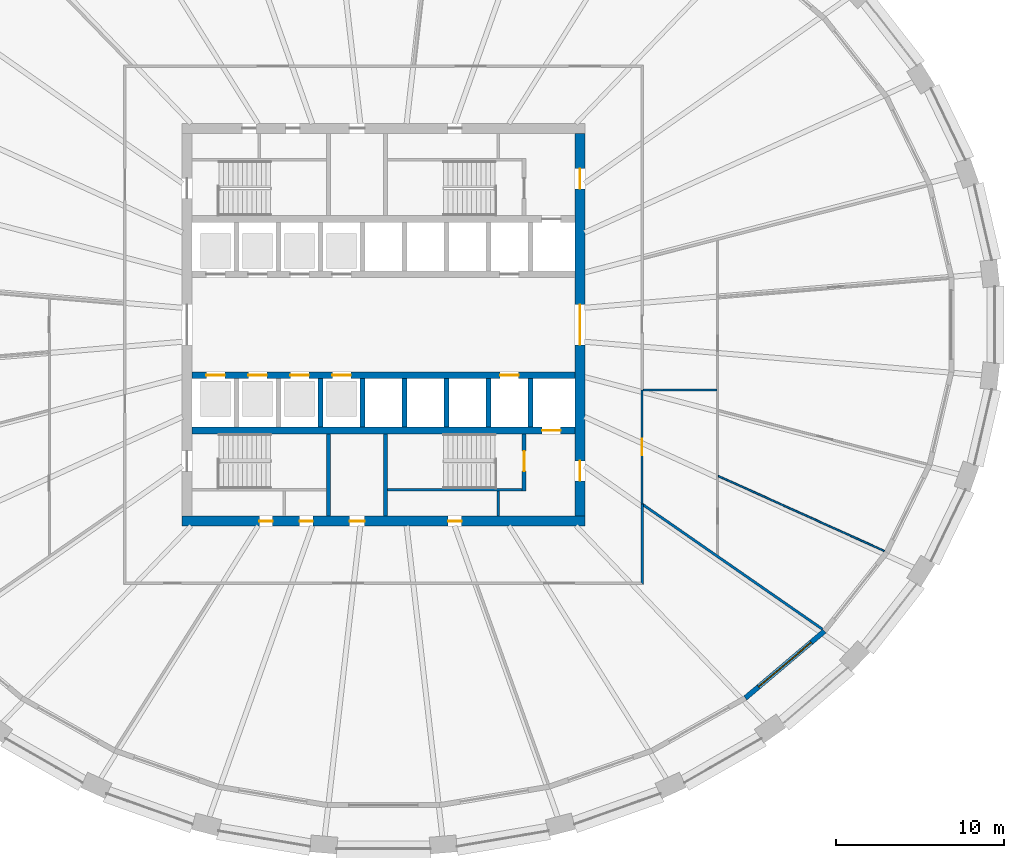
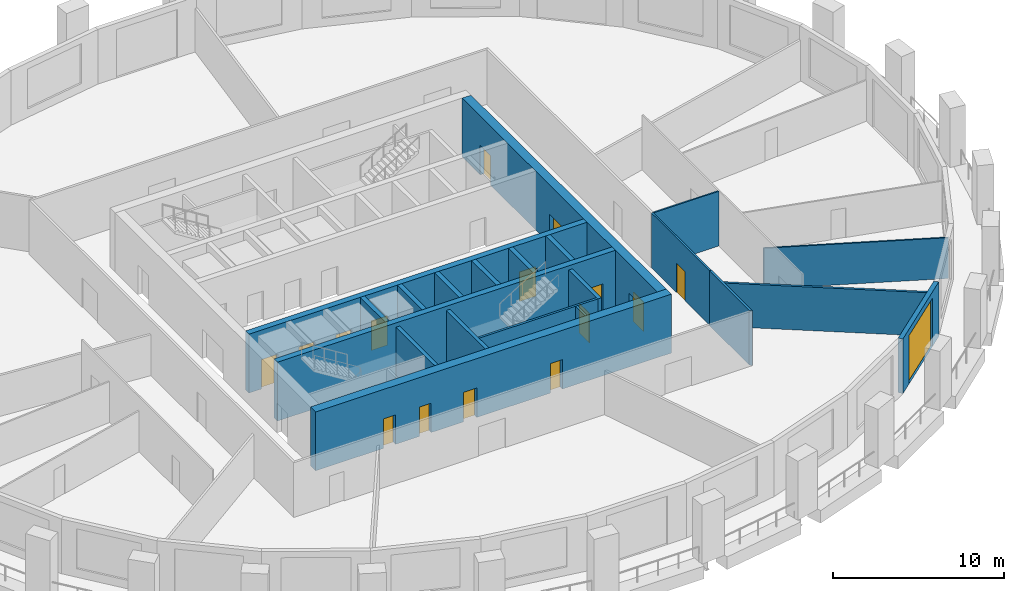
# One storey, part 4 of 11: 21 walls, 16 doors, 16 openings.
"""IFC4 building model written with IfcOpenShell, lengths in metres."""

from ifc_helpers import new_model, si_unit, direction, frame, frame_2d, origin, place, context, subcontext, project, spatial, polyline, rectangle, outline, extrude, material, layer, layer_set, type_object, element, fill, save


model = new_model("IFC4")

# Units and contexts
model_context = context("Model", 3, precision=1e-05, world=origin(), true_north=direction((0.0, 1.0)))
body_context = subcontext(model_context, "Body", "Model", "MODEL_VIEW")
ifc_project = project(units=[si_unit("LENGTHUNIT", "METRE"), si_unit("AREAUNIT", "SQUARE_METRE"), si_unit("VOLUMEUNIT", "CUBIC_METRE"), si_unit("PLANEANGLEUNIT", "RADIAN"), si_unit("MASSUNIT", "GRAM", prefix="KILO")], contexts=[model_context])

# Site, building, storey
site_placement = place(None, origin())
site = spatial("IfcSite", under=ifc_project, at=site_placement, CompositionType="ELEMENT")
building_placement = place(site_placement, origin())
building = spatial("IfcBuilding", under=site, at=building_placement, Name="Halqa Exchange Tower", CompositionType="ELEMENT")
storey_placement = place(building_placement, frame((0.0, 0.0, 82.300048828125)))
storey = spatial("IfcBuildingStorey", under=building, at=storey_placement, Name="L18", CompositionType="ELEMENT", Elevation=82.300048828125)

# Walls
ifc_material_1 = material(Name="Fire-rated gypsum board")
ifc_layer_1 = layer(ifc_material_1, 0.14990234375)
ifc_layer_set_1 = layer_set([ifc_layer_1], Name="Fire-rated gypsum board")
wall_type_1 = type_object("IfcWallType", Name="Fire partition EI 60 150", PredefinedType="PARTITIONING", material=ifc_layer_set_1)
wall_1_placement = place(storey_placement, frame((15.39990234375, -10.679931640625, 0.0), z_axis=(0.0, 0.0, 1.0), x_axis=(0.0, -1.0, 0.0)))
element("IfcWall", 1, at=wall_1_placement, inside=storey, type_object=wall_type_1, Name="L18-PWL-013", PredefinedType="PARTITIONING", context=body_context, shape_type="SweptSolid", body=[
    extrude(outline(polyline([(0.0, -0.074951171875), (1.54833984375, -0.074951171875), (3.0966796875, -0.074951171875), (4.64501953125, -0.074951171875), (4.794921875, 0.074951171875), (3.196533203125, 0.074951171875), (1.598388671875, 0.074951171875), (0.0, 0.074951171875), (0.0, -0.074951171875)])), origin(), (0.0, 0.0, 1.0), 3.89990234375),
])
wall_2_placement = place(storey_placement, frame((15.417724609375, -10.6923828125, 0.0), z_axis=(0.0, 0.0, 1.0), x_axis=(0.821683258501, -0.569944403166, 0.0)))
element("IfcWall", 2, at=wall_2_placement, inside=storey, type_object=wall_type_1, Name="L18-PWL-014", PredefinedType="PARTITIONING", context=body_context, shape_type="SweptSolid", body=[
    extrude(outline(polyline([(13.046875, 0.074951171875), (11.12158203125, 0.074951171875), (9.1962890625, 0.074951171875), (7.27099609375, 0.074951171875), (5.345703125, 0.074951171875), (5.34326171875, 0.0732421875), (5.342041015625, 0.074951171875), (3.5615234375, 0.074951171875), (1.78076171875, 0.074951171875), (0.0, 0.074951171875), (0.0, 0.07421875), (0.027587890625, 0.0341796875), (0.0400390625, 0.042724609375), (0.12158203125, -0.074951171875), (1.96826171875, -0.074951171875), (3.814697265625, -0.074951171875), (5.6611328125, -0.074951171875), (7.507568359375, -0.074951171875), (9.35400390625, -0.074951171875), (11.200439453125, -0.074951171875), (13.046875, -0.074951171875), (13.046875, 0.074951171875)])), origin(), (0.0, 0.0, 1.0), 3.099853515625),
])

# Wall, opening, door
ifc_material_2 = material(Name="Fire-rated glazing", Category="glass")
ifc_layer_2 = layer(ifc_material_2, 0.1201171875)
ifc_layer_set_2 = layer_set([ifc_layer_2], Name="Fire-rated glazing")
wall_type_2 = type_object("IfcWallType", Name="Glazed fire partition EI 60 120", PredefinedType="PARTITIONING", material=ifc_layer_set_2)
wall_3_placement = place(storey_placement, frame((15.39990234375, -3.889892578125, 0.0), z_axis=(0.0, 0.0, 1.0), x_axis=(0.0, -1.0, 0.0)))
wall_3 = element("IfcWall", 3, at=wall_3_placement, inside=storey, type_object=wall_type_2, Name="L18-PWL-015", PredefinedType="PARTITIONING", context=body_context, shape_type="SweptSolid", body=[
    extrude(rectangle(XDim=6.7900390625, YDim=0.1201171875, at=frame_2d((3.39501953125, 0.0))), origin(), (0.0, 0.0, 1.0), 3.89990234375),
])
opening_1_placement = place(wall_3_placement, frame((2.89501953125, 0.0, 0.0)))
opening_1 = element("IfcOpeningElement", 4, at=opening_1_placement, cuts=wall_3, Name="Opening 05-05", PredefinedType="OPENING", context=body_context, shape_type="SweptSolid", body=[
    extrude(rectangle(XDim=1.0, YDim=2.10009765625, at=frame_2d((0.5, 1.050048828125))), frame((0.0, 0.072021484375, 0.0), z_axis=(0.0, -1.0, 0.0), x_axis=(1.0, 0.0, 0.0)), (0.0, 0.0, 1.0), 0.14404296875),
])
ifc_material_3 = material(Name="Steel fire door leaf", Category="steel")
door_type_1 = type_object("IfcDoorType", Name="Fire door FD30S 1000 x 2100", OperationType="SINGLE_SWING_LEFT", PredefinedType="DOOR", material=ifc_material_3)
door_1_placement = place(opening_1_placement, origin())
door_1 = element("IfcDoor", 5, at=door_1_placement, inside=storey, type_object=door_type_1, Name="L18-IDR-005", OperationType="SINGLE_SWING_LEFT", OverallHeight=2.10009765625, OverallWidth=1.0, PredefinedType="DOOR", context=body_context, shape_type="SweptSolid", body=[
    extrude(rectangle(XDim=1.0, YDim=2.10009765625, at=frame_2d((0.5, 1.050048828125))), frame((0.0, 0.02490234375, 0.0), z_axis=(0.0, -1.0, 0.0), x_axis=(1.0, 0.0, 0.0)), (0.0, 0.0, 1.0), 0.050048828125),
])
fill(opening_1, door_1)

# Walls
ifc_material_4 = material(Name="Gypsum board")
ifc_layer_3 = layer(ifc_material_4, 0.10009765625)
ifc_layer_set_3 = layer_set([ifc_layer_3], Name="Gypsum board")
wall_type_3 = type_object("IfcWallType", Name="Partition 100 gypsum", PredefinedType="PARTITIONING", material=ifc_layer_set_3)
wall_4_placement = place(storey_placement, frame((15.46044921875, -3.889892578125, 0.0), z_axis=(0.0, 0.0, 1.0), x_axis=(1.0, 0.0, 0.0)))
element("IfcWall", 6, at=wall_4_placement, inside=storey, type_object=wall_type_3, Name="L18-PWL-017", PredefinedType="PARTITIONING", context=body_context, shape_type="SweptSolid", body=[
    extrude(outline(polyline([(0.0, -0.050048828125), (1.463134765625, -0.050048828125), (2.92626953125, -0.050048828125), (4.3896484375, -0.050048828125), (4.3896484375, 0.050048828125), (2.93115234375, 0.050048828125), (1.472900390625, 0.050048828125), (0.0146484375, 0.050048828125), (0.0146484375, 0.0), (0.0, 0.0), (0.0, -0.050048828125)])), origin(), (0.0, 0.0, 1.0), 3.89990234375),
])
wall_5_placement = place(storey_placement, frame((19.9296875, -9.00341796875, 0.0), z_axis=(0.0, 0.0, 1.0), x_axis=(0.911407001064, -0.41150610981, 0.0)))
element("IfcWall", 7, at=wall_5_placement, inside=storey, type_object=wall_type_3, Name="L18-PWL-020", PredefinedType="PARTITIONING", context=body_context, shape_type="SweptSolid", body=[
    extrude(outline(polyline([(0.044921875, -0.050048828125), (1.847412109375, -0.050048828125), (3.650146484375, -0.050048828125), (5.45263671875, -0.050048828125), (7.25537109375, -0.050048828125), (9.057861328125, -0.050048828125), (10.860595703125, -0.050048828125), (10.8720703125, -0.004150390625), (10.873779296875, 0.050048828125), (9.0615234375, 0.050048828125), (7.249267578125, 0.050048828125), (5.436767578125, 0.050048828125), (3.62451171875, 0.050048828125), (1.812255859375, 0.050048828125), (0.0, 0.050048828125), (0.0, 0.04931640625), (0.044921875, -0.050048828125)])), origin(), (0.0, 0.0, 1.0), 2.909912109375),
])
ifc_layer_4 = layer(ifc_material_4, 0.14990234375)
ifc_layer_set_4 = layer_set([ifc_layer_4], Name="Gypsum board")
wall_type_4 = type_object("IfcWallType", Name="Penthouse riser wall 150 gypsum", PredefinedType="PARTITIONING", material=ifc_layer_set_4)
wall_6_placement = place(storey_placement, frame((6.824951171875, -11.39990234375, 0.0), z_axis=(0.0, 0.0, 1.0), x_axis=(0.0, 1.0, 0.0)))
element("IfcWall", 8, at=wall_6_placement, inside=storey, type_object=wall_type_4, Name="Firefighting lobby west wall S", PredefinedType="PARTITIONING", context=body_context, shape_type="SweptSolid", body=[
    extrude(rectangle(XDim=1.5, YDim=0.14990234375, at=frame_2d((0.75, 0.0))), origin(), (0.0, 0.0, 1.0), 3.89990234375),
])
ifc_material_5 = material(Name="Concrete C60/75", Category="concrete")
ifc_layer_5 = layer(ifc_material_5, 0.300048828125)
ifc_layer_set_5 = layer_set([ifc_layer_5], Name="Concrete C60/75")
wall_type_5 = type_object("IfcWallType", Name="RC core wall 300", PredefinedType="SHEAR", material=ifc_layer_set_5)
for number, where, z_axis, x_axis, name in (
    (9, (-3.75, -6.10009765625, 0.0), (0.0, 0.0, 1.0), (0.0, 1.0, 0.0), "Shaft divider S3"),
    (10, (-1.25, -6.10009765625, 0.0), (0.0, 0.0, 1.0), (0.0, 1.0, 0.0), "Shaft divider S4"),
    (11, (1.25, -6.10009765625, 0.0), (0.0, 0.0, 1.0), (0.0, 1.0, 0.0), "Shaft divider S5"),
    (12, (3.75, -6.10009765625, 0.0), (0.0, 0.0, 1.0), (0.0, 1.0, 0.0), "Shaft divider S6"),
    (13, (6.25, -6.10009765625, 0.0), (0.0, 0.0, 1.0), (0.0, 1.0, 0.0), "Shaft divider S7"),
    (14, (8.75, -6.10009765625, 0.0), (0.0, 0.0, 1.0), (0.0, 1.0, 0.0), "Shaft divider S8"),
):
    element("IfcWall", number, at=place(storey_placement, frame(where, z_axis=z_axis, x_axis=x_axis)), inside=storey, type_object=wall_type_5, Name=name, PredefinedType="SHEAR", context=body_context, shape_type="SweptSolid", body=[
        extrude(rectangle(XDim=2.900146484375, YDim=0.300048828125, at=frame_2d((1.4501953125, 0.0))), origin(), (0.0, 0.0, 1.0), 4.199951171875),
    ])

# Wall, openings, doors
ifc_material_6 = material(Name="Concrete C80/95", Category="concrete")
ifc_layer_6 = layer(ifc_material_6, 0.39990234375)
ifc_layer_set_6 = layer_set([ifc_layer_6], Name="Concrete C80/95")
wall_type_6 = type_object("IfcWallType", Name="RC core wall 400 C80/95", PredefinedType="SHEAR", material=ifc_layer_set_6)
wall_7_placement = place(storey_placement, frame((-11.39990234375, -3.0, 0.0), z_axis=(0.0, 0.0, 1.0), x_axis=(1.0, 0.0, 0.0)))
wall_7 = element("IfcWall", 15, at=wall_7_placement, inside=storey, type_object=wall_type_6, Name="Lift row front wall S", PredefinedType="SHEAR", context=body_context, shape_type="SweptSolid", body=[
    extrude(rectangle(XDim=22.7998046875, YDim=0.39990234375, at=frame_2d((11.39990234375, 0.0))), origin(), (0.0, 0.0, 1.0), 4.199951171875),
])
opening_2_placement = place(wall_7_placement, frame((0.85009765625, 0.0, 0.0)))
opening_2 = element("IfcOpeningElement", 16, at=opening_2_placement, cuts=wall_7, Name="Opening LD-LR5-T05", PredefinedType="OPENING", context=body_context, shape_type="SweptSolid", body=[
    extrude(rectangle(XDim=1.10009765625, YDim=2.10009765625, at=frame_2d((0.550048828125, 1.050048828125))), frame((0.0, 0.2119140625, 0.0), z_axis=(0.0, -1.0, 0.0), x_axis=(1.0, 0.0, 0.0)), (0.0, 0.0, 1.0), 0.423828125),
])
opening_3_placement = place(wall_7_placement, frame((3.35009765625, 0.0, 0.0)))
opening_3 = element("IfcOpeningElement", 17, at=opening_3_placement, cuts=wall_7, Name="Opening LD-LR6-T05", PredefinedType="OPENING", context=body_context, shape_type="SweptSolid", body=[
    extrude(rectangle(XDim=1.10009765625, YDim=2.10009765625, at=frame_2d((0.550048828125, 1.050048828125))), frame((0.0, 0.2119140625, 0.0), z_axis=(0.0, -1.0, 0.0), x_axis=(1.0, 0.0, 0.0)), (0.0, 0.0, 1.0), 0.423828125),
])
opening_4_placement = place(wall_7_placement, frame((5.85009765625, 0.0, 0.0)))
opening_4 = element("IfcOpeningElement", 18, at=opening_4_placement, cuts=wall_7, Name="Opening LD-LR7-T05", PredefinedType="OPENING", context=body_context, shape_type="SweptSolid", body=[
    extrude(rectangle(XDim=1.10009765625, YDim=2.10009765625, at=frame_2d((0.550048828125, 1.050048828125))), frame((0.0, 0.2119140625, 0.0), z_axis=(0.0, -1.0, 0.0), x_axis=(1.0, 0.0, 0.0)), (0.0, 0.0, 1.0), 0.423828125),
])
opening_5_placement = place(wall_7_placement, frame((8.35009765625, 0.0, 0.0)))
opening_5 = element("IfcOpeningElement", 19, at=opening_5_placement, cuts=wall_7, Name="Opening LD-LR8-T05", PredefinedType="OPENING", context=body_context, shape_type="SweptSolid", body=[
    extrude(rectangle(XDim=1.10009765625, YDim=2.10009765625, at=frame_2d((0.550048828125, 1.050048828125))), frame((0.0, 0.2119140625, 0.0), z_axis=(0.0, -1.0, 0.0), x_axis=(1.0, 0.0, 0.0)), (0.0, 0.0, 1.0), 0.423828125),
])
opening_6_placement = place(wall_7_placement, frame((18.35009765625, 0.0, 0.0)))
opening_6 = element("IfcOpeningElement", 20, at=opening_6_placement, cuts=wall_7, Name="Opening LD-SV2-T05", PredefinedType="OPENING", context=body_context, shape_type="SweptSolid", body=[
    extrude(rectangle(XDim=1.10009765625, YDim=2.10009765625, at=frame_2d((0.550048828125, 1.050048828125))), frame((0.0, 0.2119140625, 0.0), z_axis=(0.0, -1.0, 0.0), x_axis=(1.0, 0.0, 0.0)), (0.0, 0.0, 1.0), 0.423828125),
])
ifc_material_7 = material(Name="Stainless steel", Category="steel")
door_type_2 = type_object("IfcDoorType", Name="Lift landing door 1100 x 2100", OperationType="SLIDING_TO_LEFT", PredefinedType="DOOR", material=ifc_material_7)
door_2_placement = place(opening_2_placement, origin())
door_2 = element("IfcDoor", 21, at=door_2_placement, inside=storey, type_object=door_type_2, Name="Lift landing door LR5", OperationType="SLIDING_TO_LEFT", OverallHeight=2.10009765625, OverallWidth=1.10009765625, PredefinedType="DOOR", context=body_context, shape_type="SweptSolid", body=[
    extrude(rectangle(XDim=1.10009765625, YDim=2.10009765625, at=frame_2d((0.550048828125, 1.050048828125))), frame((0.0, 0.02490234375, 0.0), z_axis=(0.0, -1.0, 0.0), x_axis=(1.0, 0.0, 0.0)), (0.0, 0.0, 1.0), 0.050048828125),
])
fill(opening_2, door_2)
door_3_placement = place(opening_3_placement, origin())
door_3 = element("IfcDoor", 22, at=door_3_placement, inside=storey, type_object=door_type_2, Name="Lift landing door LR6", OperationType="SLIDING_TO_LEFT", OverallHeight=2.10009765625, OverallWidth=1.10009765625, PredefinedType="DOOR", context=body_context, shape_type="SweptSolid", body=[
    extrude(rectangle(XDim=1.10009765625, YDim=2.10009765625, at=frame_2d((0.550048828125, 1.050048828125))), frame((0.0, 0.02490234375, 0.0), z_axis=(0.0, -1.0, 0.0), x_axis=(1.0, 0.0, 0.0)), (0.0, 0.0, 1.0), 0.050048828125),
])
fill(opening_3, door_3)
door_4_placement = place(opening_4_placement, origin())
door_4 = element("IfcDoor", 23, at=door_4_placement, inside=storey, type_object=door_type_2, Name="Lift landing door LR7", OperationType="SLIDING_TO_LEFT", OverallHeight=2.10009765625, OverallWidth=1.10009765625, PredefinedType="DOOR", context=body_context, shape_type="SweptSolid", body=[
    extrude(rectangle(XDim=1.10009765625, YDim=2.10009765625, at=frame_2d((0.550048828125, 1.050048828125))), frame((0.0, 0.02490234375, 0.0), z_axis=(0.0, -1.0, 0.0), x_axis=(1.0, 0.0, 0.0)), (0.0, 0.0, 1.0), 0.050048828125),
])
fill(opening_4, door_4)
door_5_placement = place(opening_5_placement, origin())
door_5 = element("IfcDoor", 24, at=door_5_placement, inside=storey, type_object=door_type_2, Name="Lift landing door LR8", OperationType="SLIDING_TO_LEFT", OverallHeight=2.10009765625, OverallWidth=1.10009765625, PredefinedType="DOOR", context=body_context, shape_type="SweptSolid", body=[
    extrude(rectangle(XDim=1.10009765625, YDim=2.10009765625, at=frame_2d((0.550048828125, 1.050048828125))), frame((0.0, 0.02490234375, 0.0), z_axis=(0.0, -1.0, 0.0), x_axis=(1.0, 0.0, 0.0)), (0.0, 0.0, 1.0), 0.050048828125),
])
fill(opening_5, door_5)
door_6_placement = place(opening_6_placement, origin())
door_6 = element("IfcDoor", 25, at=door_6_placement, inside=storey, type_object=door_type_2, Name="Lift landing door SV2", OperationType="SLIDING_TO_LEFT", OverallHeight=2.10009765625, OverallWidth=1.10009765625, PredefinedType="DOOR", context=body_context, shape_type="SweptSolid", body=[
    extrude(rectangle(XDim=1.10009765625, YDim=2.10009765625, at=frame_2d((0.550048828125, 1.050048828125))), frame((0.0, 0.02490234375, 0.0), z_axis=(0.0, -1.0, 0.0), x_axis=(1.0, 0.0, 0.0)), (0.0, 0.0, 1.0), 0.050048828125),
])
fill(opening_6, door_6)

# Wall, opening, door
wall_8_placement = place(storey_placement, frame((-11.39990234375, -6.300048828125, 0.0), z_axis=(0.0, 0.0, 1.0), x_axis=(1.0, 0.0, 0.0)))
wall_8 = element("IfcWall", 26, at=wall_8_placement, inside=storey, type_object=wall_type_6, Name="Lift row back wall S", PredefinedType="SHEAR", context=body_context, shape_type="SweptSolid", body=[
    extrude(rectangle(XDim=22.7998046875, YDim=0.39990234375, at=frame_2d((11.39990234375, 0.0))), origin(), (0.0, 0.0, 1.0), 4.199951171875),
])
opening_7_placement = place(wall_8_placement, frame((20.85009765625, 0.0, 0.0)))
opening_7 = element("IfcOpeningElement", 27, at=opening_7_placement, cuts=wall_8, Name="Opening LD-FF2-T05", PredefinedType="OPENING", context=body_context, shape_type="SweptSolid", body=[
    extrude(rectangle(XDim=1.10009765625, YDim=2.10009765625, at=frame_2d((0.550048828125, 1.050048828125))), frame((0.0, 0.2119140625, 0.0), z_axis=(0.0, -1.0, 0.0), x_axis=(1.0, 0.0, 0.0)), (0.0, 0.0, 1.0), 0.423828125),
])
door_7_placement = place(opening_7_placement, origin())
door_7 = element("IfcDoor", 28, at=door_7_placement, inside=storey, type_object=door_type_2, Name="Lift landing door FF2", OperationType="SLIDING_TO_LEFT", OverallHeight=2.10009765625, OverallWidth=1.10009765625, PredefinedType="DOOR", context=body_context, shape_type="SweptSolid", body=[
    extrude(rectangle(XDim=1.10009765625, YDim=2.10009765625, at=frame_2d((0.550048828125, 1.050048828125))), frame((0.0, 0.02490234375, 0.0), z_axis=(0.0, -1.0, 0.0), x_axis=(1.0, 0.0, 0.0)), (0.0, 0.0, 1.0), 0.050048828125),
])
fill(opening_7, door_7)

# Wall, openings, doors
ifc_layer_7 = layer(ifc_material_6, 0.60009765625)
ifc_layer_set_7 = layer_set([ifc_layer_7], Name="Concrete C80/95")
wall_type_7 = type_object("IfcWallType", Name="RC core wall 600 C80/95", PredefinedType="SHEAR", material=ifc_layer_set_7)
wall_9_placement = place(storey_placement, frame((-12.0, -11.699951171875, 0.0), z_axis=(0.0, 0.0, 1.0), x_axis=(1.0, 0.0, 0.0)))
wall_9 = element("IfcWall", 29, at=wall_9_placement, inside=storey, type_object=wall_type_7, Name="Core wall south", PredefinedType="SHEAR", context=body_context, shape_type="SweptSolid", body=[
    extrude(rectangle(XDim=24.0, YDim=0.60009765625, at=frame_2d((12.0, 0.0))), origin(), (0.0, 0.0, 1.0), 4.199951171875),
])
opening_8_placement = place(wall_9_placement, frame((9.97509765625, 0.0, 0.0)))
opening_8 = element("IfcOpeningElement", 30, at=opening_8_placement, cuts=wall_9, Name="Opening T05-C25", PredefinedType="OPENING", context=body_context, shape_type="SweptSolid", body=[
    extrude(rectangle(XDim=0.89990234375, YDim=2.10009765625, at=frame_2d((0.449951171875, 1.050048828125))), frame((0.0, 0.31201171875, 0.0), z_axis=(0.0, -1.0, 0.0), x_axis=(1.0, 0.0, 0.0)), (0.0, 0.0, 1.0), 0.6240234375),
])
opening_9_placement = place(wall_9_placement, frame((4.60009765625, 0.0, 0.0)))
opening_9 = element("IfcOpeningElement", 31, at=opening_9_placement, cuts=wall_9, Name="Opening T05-C26", PredefinedType="OPENING", context=body_context, shape_type="SweptSolid", body=[
    extrude(rectangle(XDim=0.800048828125, YDim=2.10009765625, at=frame_2d((0.39990234375, 1.050048828125))), frame((0.0, 0.31201171875, 0.0), z_axis=(0.0, -1.0, 0.0), x_axis=(1.0, 0.0, 0.0)), (0.0, 0.0, 1.0), 0.6240234375),
])
opening_10_placement = place(wall_9_placement, frame((7.0, 0.0, 0.0)))
opening_10 = element("IfcOpeningElement", 32, at=opening_10_placement, cuts=wall_9, Name="Opening T05-C27", PredefinedType="OPENING", context=body_context, shape_type="SweptSolid", body=[
    extrude(rectangle(XDim=0.800048828125, YDim=2.10009765625, at=frame_2d((0.39990234375, 1.050048828125))), frame((0.0, 0.31201171875, 0.0), z_axis=(0.0, -1.0, 0.0), x_axis=(1.0, 0.0, 0.0)), (0.0, 0.0, 1.0), 0.6240234375),
])
opening_11_placement = place(wall_9_placement, frame((15.85009765625, 0.0, 0.0)))
opening_11 = element("IfcOpeningElement", 33, at=opening_11_placement, cuts=wall_9, Name="Opening T05-C28", PredefinedType="OPENING", context=body_context, shape_type="SweptSolid", body=[
    extrude(rectangle(XDim=0.800048828125, YDim=2.10009765625, at=frame_2d((0.39990234375, 1.050048828125))), frame((0.0, 0.31201171875, 0.0), z_axis=(0.0, -1.0, 0.0), x_axis=(1.0, 0.0, 0.0)), (0.0, 0.0, 1.0), 0.6240234375),
])
ifc_material_8 = material(Name="Timber fire door leaf", Category="wood")
door_type_3 = type_object("IfcDoorType", Name="Core room door FD30 900 x 2100", OperationType="SINGLE_SWING_LEFT", PredefinedType="DOOR", material=ifc_material_8)
door_8_placement = place(opening_8_placement, origin())
door_8 = element("IfcDoor", 34, at=door_8_placement, inside=storey, type_object=door_type_3, Name="Core room door", OperationType="SINGLE_SWING_LEFT", OverallHeight=2.10009765625, OverallWidth=0.89990234375, PredefinedType="DOOR", context=body_context, shape_type="SweptSolid", body=[
    extrude(rectangle(XDim=0.89990234375, YDim=2.10009765625, at=frame_2d((0.449951171875, 1.050048828125))), frame((0.0, 0.02490234375, 0.0), z_axis=(0.0, -1.0, 0.0), x_axis=(1.0, 0.0, 0.0)), (0.0, 0.0, 1.0), 0.050048828125),
])
fill(opening_8, door_8)
door_type_4 = type_object("IfcDoorType", Name="Riser door FD60 800 x 2100", OperationType="SINGLE_SWING_LEFT", PredefinedType="DOOR", material=ifc_material_3)
door_9_placement = place(opening_9_placement, origin())
door_9 = element("IfcDoor", 35, at=door_9_placement, inside=storey, type_object=door_type_4, Name="Core room door", OperationType="SINGLE_SWING_LEFT", OverallHeight=2.10009765625, OverallWidth=0.800048828125, PredefinedType="DOOR", context=body_context, shape_type="SweptSolid", body=[
    extrude(rectangle(XDim=0.800048828125, YDim=2.10009765625, at=frame_2d((0.39990234375, 1.050048828125))), frame((0.0, 0.02490234375, 0.0), z_axis=(0.0, -1.0, 0.0), x_axis=(1.0, 0.0, 0.0)), (0.0, 0.0, 1.0), 0.050048828125),
])
fill(opening_9, door_9)
door_10_placement = place(opening_10_placement, origin())
door_10 = element("IfcDoor", 36, at=door_10_placement, inside=storey, type_object=door_type_4, Name="Core room door", OperationType="SINGLE_SWING_LEFT", OverallHeight=2.10009765625, OverallWidth=0.800048828125, PredefinedType="DOOR", context=body_context, shape_type="SweptSolid", body=[
    extrude(rectangle(XDim=0.800048828125, YDim=2.10009765625, at=frame_2d((0.39990234375, 1.050048828125))), frame((0.0, 0.02490234375, 0.0), z_axis=(0.0, -1.0, 0.0), x_axis=(1.0, 0.0, 0.0)), (0.0, 0.0, 1.0), 0.050048828125),
])
fill(opening_10, door_10)
door_11_placement = place(opening_11_placement, origin())
door_11 = element("IfcDoor", 37, at=door_11_placement, inside=storey, type_object=door_type_4, Name="Core room door", OperationType="SINGLE_SWING_LEFT", OverallHeight=2.10009765625, OverallWidth=0.800048828125, PredefinedType="DOOR", context=body_context, shape_type="SweptSolid", body=[
    extrude(rectangle(XDim=0.800048828125, YDim=2.10009765625, at=frame_2d((0.39990234375, 1.050048828125))), frame((0.0, 0.02490234375, 0.0), z_axis=(0.0, -1.0, 0.0), x_axis=(1.0, 0.0, 0.0)), (0.0, 0.0, 1.0), 0.050048828125),
])
fill(opening_11, door_11)

wall_10_placement = place(storey_placement, frame((11.699951171875, -11.39990234375, 0.0), z_axis=(0.0, 0.0, 1.0), x_axis=(0.0, 1.0, 0.0)))
wall_10 = element("IfcWall", 38, at=wall_10_placement, inside=storey, type_object=wall_type_7, Name="Core wall east", PredefinedType="SHEAR", context=body_context, shape_type="SweptSolid", body=[
    extrude(rectangle(XDim=22.7998046875, YDim=0.60009765625, at=frame_2d((11.39990234375, 0.0))), origin(), (0.0, 0.0, 1.0), 4.199951171875),
])
opening_12_placement = place(wall_10_placement, frame((10.199951171875, 0.0, 0.0)))
opening_12 = element("IfcOpeningElement", 39, at=opening_12_placement, cuts=wall_10, Name="Opening T05-C14", PredefinedType="OPENING", context=body_context, shape_type="SweptSolid", body=[
    extrude(rectangle(XDim=2.39990234375, YDim=2.10009765625, at=frame_2d((1.199951171875, 1.050048828125))), frame((0.0, 0.31201171875, 0.0), z_axis=(0.0, -1.0, 0.0), x_axis=(1.0, 0.0, 0.0)), (0.0, 0.0, 1.0), 0.6240234375),
])
opening_13_placement = place(wall_10_placement, frame((19.5, 0.0, 0.0)))
opening_13 = element("IfcOpeningElement", 40, at=opening_13_placement, cuts=wall_10, Name="Opening T05-C19", PredefinedType="OPENING", context=body_context, shape_type="SweptSolid", body=[
    extrude(rectangle(XDim=1.199951171875, YDim=2.10009765625, at=frame_2d((0.60009765625, 1.050048828125))), frame((0.0, 0.31201171875, 0.0), z_axis=(0.0, -1.0, 0.0), x_axis=(1.0, 0.0, 0.0)), (0.0, 0.0, 1.0), 0.6240234375),
])
opening_14_placement = place(wall_10_placement, frame((2.10009765625, 0.0, 0.0)))
opening_14 = element("IfcOpeningElement", 41, at=opening_14_placement, cuts=wall_10, Name="Opening T05-C20", PredefinedType="OPENING", context=body_context, shape_type="SweptSolid", body=[
    extrude(rectangle(XDim=1.199951171875, YDim=2.10009765625, at=frame_2d((0.60009765625, 1.050048828125))), frame((0.0, 0.31201171875, 0.0), z_axis=(0.0, -1.0, 0.0), x_axis=(1.0, 0.0, 0.0)), (0.0, 0.0, 1.0), 0.6240234375),
])
door_type_5 = type_object("IfcDoorType", Name="Firefighting lobby door FD90 1200 x 2100", OperationType="SINGLE_SWING_RIGHT", PredefinedType="DOOR", material=ifc_material_3)
door_12_placement = place(opening_13_placement, origin())
door_12 = element("IfcDoor", 42, at=door_12_placement, inside=storey, type_object=door_type_5, Name="Firefighting lobby door", OperationType="SINGLE_SWING_RIGHT", OverallHeight=2.10009765625, OverallWidth=1.199951171875, PredefinedType="DOOR", context=body_context, shape_type="SweptSolid", body=[
    extrude(rectangle(XDim=1.199951171875, YDim=2.10009765625, at=frame_2d((0.60009765625, 1.050048828125))), frame((0.0, 0.02490234375, 0.0), z_axis=(0.0, -1.0, 0.0), x_axis=(1.0, 0.0, 0.0)), (0.0, 0.0, 1.0), 0.050048828125),
])
fill(opening_13, door_12)
door_13_placement = place(opening_14_placement, origin())
door_13 = element("IfcDoor", 43, at=door_13_placement, inside=storey, type_object=door_type_5, Name="Firefighting lobby door", OperationType="SINGLE_SWING_LEFT", OverallHeight=2.10009765625, OverallWidth=1.199951171875, PredefinedType="DOOR", context=body_context, shape_type="SweptSolid", body=[
    extrude(rectangle(XDim=1.199951171875, YDim=2.10009765625, at=frame_2d((0.60009765625, 1.050048828125))), frame((0.0, 0.02490234375, 0.0), z_axis=(0.0, -1.0, 0.0), x_axis=(1.0, 0.0, 0.0)), (0.0, 0.0, 1.0), 0.050048828125),
])
fill(opening_14, door_13)
door_type_6 = type_object("IfcDoorType", Name="Lobby double door FD60 2400 x 2100", OperationType="DOUBLE_DOOR_SINGLE_SWING", PredefinedType="DOOR", material=ifc_material_3)
door_14_placement = place(opening_12_placement, origin())
door_14 = element("IfcDoor", 44, at=door_14_placement, inside=storey, type_object=door_type_6, Name="Lift lobby double door", OperationType="DOUBLE_DOOR_SINGLE_SWING", OverallHeight=2.10009765625, OverallWidth=2.39990234375, PredefinedType="DOOR", context=body_context, shape_type="SweptSolid", body=[
    extrude(rectangle(XDim=2.39990234375, YDim=2.10009765625, at=frame_2d((1.199951171875, 1.050048828125))), frame((0.0, 0.02490234375, 0.0), z_axis=(0.0, -1.0, 0.0), x_axis=(1.0, 0.0, 0.0)), (0.0, 0.0, 1.0), 0.050048828125),
])
fill(opening_12, door_14)

# Walls
ifc_material_9 = material(Name="Concrete C30/37", Category="concrete")
ifc_layer_8 = layer(ifc_material_9, 0.14990234375)
ifc_layer_set_8 = layer_set([ifc_layer_8], Name="Concrete C30/37")
wall_type_8 = type_object("IfcWallType", Name="RC stair wall 150 C30/37", PredefinedType="SHEAR", material=ifc_layer_set_8)
wall_11_placement = place(storey_placement, frame((0.25, -9.824951171875, 0.0), z_axis=(0.0, 0.0, 1.0), x_axis=(1.0, 0.0, 0.0)))
element("IfcWall", 45, at=wall_11_placement, inside=storey, type_object=wall_type_8, Name="Stair ST2 north wall S", PredefinedType="SHEAR", context=body_context, shape_type="SweptSolid", body=[
    extrude(rectangle(XDim=8.0, YDim=0.14990234375, at=frame_2d((4.0, 0.0))), origin(), (0.0, 0.0, 1.0), 3.89990234375),
])
ifc_layer_9 = layer(ifc_material_9, 0.25)
ifc_layer_set_9 = layer_set([ifc_layer_9], Name="Concrete C30/37")
wall_type_9 = type_object("IfcWallType", Name="RC stair wall 250 C30/37", PredefinedType="SHEAR", material=ifc_layer_set_9)
for number, where, z_axis, x_axis, name in (
    (46, (-3.27490234375, -11.39990234375, 0.0), (0.0, 0.0, 1.0), (0.0, 1.0, 0.0), "Stair ST1 east wall S"),
    (47, (0.125, -11.39990234375, 0.0), (0.0, 0.0, 1.0), (0.0, 1.0, 0.0), "Stair ST2 west wall S"),
):
    element("IfcWall", number, at=place(storey_placement, frame(where, z_axis=z_axis, x_axis=x_axis)), inside=storey, type_object=wall_type_9, Name=name, PredefinedType="SHEAR", context=body_context, shape_type="SweptSolid", body=[
        extrude(rectangle(XDim=4.89990234375, YDim=0.25, at=frame_2d((2.449951171875, 0.0))), origin(), (0.0, 0.0, 1.0), 3.89990234375),
    ])

# Wall, opening, door
wall_12_placement = place(storey_placement, frame((8.375, -9.89990234375, 0.0), z_axis=(0.0, 0.0, 1.0), x_axis=(0.0, 1.0, 0.0)))
wall_12 = element("IfcWall", 48, at=wall_12_placement, inside=storey, type_object=wall_type_9, Name="Stair ST2 east wall S", PredefinedType="SHEAR", context=body_context, shape_type="SweptSolid", body=[
    extrude(rectangle(XDim=3.39990234375, YDim=0.25, at=frame_2d((1.699951171875, 0.0))), origin(), (0.0, 0.0, 1.0), 3.89990234375),
])
opening_15_placement = place(wall_12_placement, frame((1.175048828125, 0.0, 0.0)))
opening_15 = element("IfcOpeningElement", 49, at=opening_15_placement, cuts=wall_12, Name="Opening T05-C18", PredefinedType="OPENING", context=body_context, shape_type="SweptSolid", body=[
    extrude(rectangle(XDim=1.199951171875, YDim=2.10009765625, at=frame_2d((0.60009765625, 1.050048828125))), frame((0.0, 0.136962890625, 0.0), z_axis=(0.0, -1.0, 0.0), x_axis=(1.0, 0.0, 0.0)), (0.0, 0.0, 1.0), 0.27392578125),
])
door_type_7 = type_object("IfcDoorType", Name="Stair door FD90 1200 x 2100", OperationType="SINGLE_SWING_LEFT", PredefinedType="DOOR", material=ifc_material_3)
door_15_placement = place(opening_15_placement, origin())
door_15 = element("IfcDoor", 50, at=door_15_placement, inside=storey, type_object=door_type_7, Name="Stair door ST4", OperationType="SINGLE_SWING_LEFT", OverallHeight=2.10009765625, OverallWidth=1.199951171875, PredefinedType="DOOR", context=body_context, shape_type="SweptSolid", body=[
    extrude(rectangle(XDim=1.199951171875, YDim=2.10009765625, at=frame_2d((0.60009765625, 1.050048828125))), frame((0.0, 0.02490234375, 0.0), z_axis=(0.0, -1.0, 0.0), x_axis=(1.0, 0.0, 0.0)), (0.0, 0.0, 1.0), 0.050048828125),
])
fill(opening_15, door_15)

ifc_material_10 = material(Name="Limestone cladding", Category="masonry")
ifc_layer_10 = layer(ifc_material_10, 0.0400390625)
ifc_material_11 = material(Name="Ventilated cavity")
ifc_layer_11 = layer(ifc_material_11, 0.030029296875, ventilated=True)
ifc_material_12 = material(Name="Mineral wool insulation")
ifc_layer_12 = layer(ifc_material_12, 0.10009765625)
ifc_layer_13 = layer(ifc_material_9, 0.10009765625)
ifc_material_13 = material(Name="Internal plaster")
ifc_layer_14 = layer(ifc_material_13, 0.030029296875)
ifc_layer_set_10 = layer_set([ifc_layer_10, ifc_layer_11, ifc_layer_12, ifc_layer_13, ifc_layer_14], Name="Stone-faced insulated wall 300")
wall_type_10 = type_object("IfcWallType", Name="Stone-faced insulated wall 300", PredefinedType="STANDARD", material=ifc_layer_set_10)
wall_13_placement = place(storey_placement, frame((21.548583984375, -22.230712890625, 0.0), z_axis=(0.0, 0.0, 1.0), x_axis=(0.763693886759, 0.645578536916, 0.0)))
wall_13 = element("IfcWall", 51, at=wall_13_placement, inside=storey, type_object=wall_type_10, Name="Glass-line wall 28", PredefinedType="STANDARD", context=body_context, shape_type="SweptSolid", body=[
    extrude(outline(polyline([(-0.01416015625, -0.14990234375), (6.18505859375, -0.14990234375), (6.15478515625, 0.14990234375), (0.01416015625, 0.14990234375), (-0.01416015625, -0.14990234375)])), origin(), (0.0, 0.0, 1.0), 3.89990234375),
])
opening_16_placement = place(wall_13_placement, frame((1.034912109375, 0.0, 0.0)))
opening_16 = element("IfcOpeningElement", 52, at=opening_16_placement, cuts=wall_13, Name="Opening LG-F1-07", PredefinedType="OPENING", context=body_context, shape_type="SweptSolid", body=[
    extrude(rectangle(XDim=4.10009765625, YDim=3.449951171875, at=frame_2d((2.050048828125, 1.72509765625))), frame((0.0, 0.162109375, 0.0), z_axis=(0.0, -1.0, 0.0), x_axis=(1.0, 0.0, 0.0)), (0.0, 0.0, 1.0), 0.323974609375),
])
ifc_material_14 = material(Name="Clear low-emissivity glass in aluminium frame", Category="aluminium")
door_type_8 = type_object("IfcDoorType", Name="Glazed sliding loggia door 4100 x 3450", OperationType="DOUBLE_DOOR_SLIDING", PredefinedType="DOOR", material=ifc_material_14)
door_16_placement = place(opening_16_placement, origin())
door_16 = element("IfcDoor", 53, at=door_16_placement, inside=storey, type_object=door_type_8, Name="Loggia door 7", OperationType="DOUBLE_DOOR_SLIDING", OverallHeight=3.449951171875, OverallWidth=4.10009765625, PredefinedType="DOOR", context=body_context, shape_type="SweptSolid", body=[
    extrude(rectangle(XDim=4.10009765625, YDim=3.449951171875, at=frame_2d((2.050048828125, 1.72509765625))), frame((0.0, 0.02490234375, 0.0), z_axis=(0.0, -1.0, 0.0), x_axis=(1.0, 0.0, 0.0)), (0.0, 0.0, 1.0), 0.050048828125),
])
fill(opening_16, door_16)

save(model, "model.ifc")
